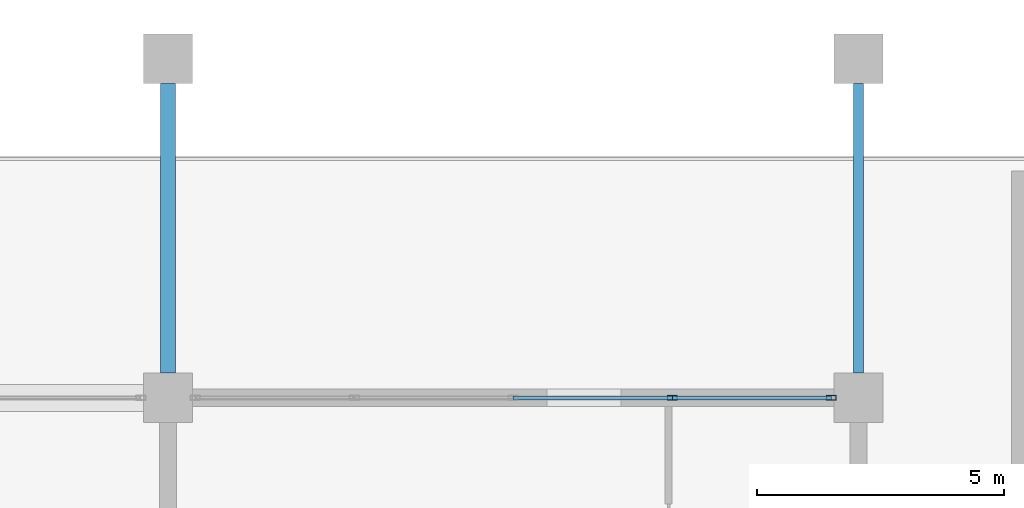
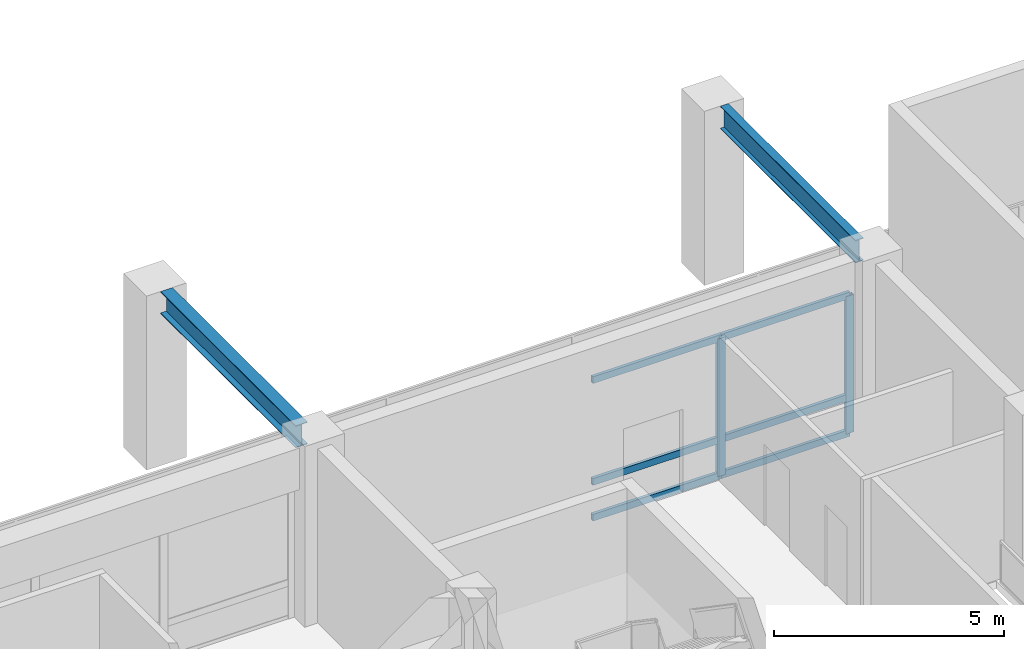
# One storey, part 26 of 91: 8 members, 2 beams, 1 element without a shape of its own.
"""IFC4 building model written with IfcOpenShell, lengths in metres."""

from ifc_helpers import new_model, si_unit, direction, frame, origin, origin_2d, place, context, subcontext, project, spatial, hollow_rectangle, i_section, extrude, material, material_profile, profile_set, type_object, element, aggregate, save


model = new_model("IFC4")

# Units and contexts
model_context = context("Model", 3, precision=1e-05, world=origin(), true_north=direction((0.0, 1.0)))
body_context = subcontext(model_context, "Body", "Model", "MODEL_VIEW")
ifc_project = project(units=[si_unit("LENGTHUNIT", "METRE"), si_unit("AREAUNIT", "SQUARE_METRE"), si_unit("VOLUMEUNIT", "CUBIC_METRE"), si_unit("PLANEANGLEUNIT", "RADIAN"), si_unit("MASSUNIT", "GRAM", prefix="KILO")], contexts=[model_context])

# Site, building, storey
site_placement = place(None, origin())
site = spatial("IfcSite", under=ifc_project, at=site_placement, CompositionType="ELEMENT")
building_placement = place(site_placement, origin())
building = spatial("IfcBuilding", under=site, at=building_placement, Name="Linyun Crest Stadium", CompositionType="ELEMENT")
storey_placement = place(building_placement, frame((0.0, 0.0, 11.39990234375)))
storey = spatial("IfcBuildingStorey", under=building, at=storey_placement, Name="L03", CompositionType="ELEMENT", Elevation=11.39990234375)

# Beams
ifc_material_1 = material(Name="Steel Q355C", Category="steel")
ifc_material_profile_1 = material_profile(ifc_material_1, i_section(OverallWidth=0.300048828125, OverallDepth=0.587890625, WebThickness=0.011962890625, FlangeThickness=0.02001953125, at=origin_2d()), Name="HM 588x300")
ifc_profile_set_1 = profile_set([ifc_material_profile_1], Name="Steel Q355C")
beam_type_1 = type_object("IfcBeamType", Name="B09", PredefinedType="BEAM", material=ifc_profile_set_1)
beam_1_placement = place(storey_placement, frame((14.0, -73.0, 4.326171875), z_axis=(0.0, 1.0, 0.0), x_axis=(-1.0, 0.0, 0.0)))
element("IfcBeam", 1, at=beam_1_placement, inside=storey, type_object=beam_type_1, Name="Frame beam B09 L03 938", PredefinedType="BEAM", context=body_context, shape_type="SweptSolid", body=[
    extrude(i_section(OverallWidth=0.300048828125, OverallDepth=0.587890625, WebThickness=0.011962890625, FlangeThickness=0.02001953125, at=origin_2d()), origin(), (0.0, 0.0, 1.0), 5.875),
])
ifc_material_2 = material(Name="Steel Q355C", Category="steel")
ifc_material_profile_2 = material_profile(ifc_material_2, i_section(OverallWidth=0.199951171875, OverallDepth=0.60009765625, WebThickness=0.010986328125, FlangeThickness=0.01708984375, at=origin_2d()), Name="HN 600x200")
ifc_profile_set_2 = profile_set([ifc_material_profile_2], Name="Steel Q355C")
beam_type_2 = type_object("IfcBeamType", Name="B11", PredefinedType="BEAM", material=ifc_profile_set_2)
beam_2_placement = place(storey_placement, frame((28.0, -73.0, 4.320068359375), z_axis=(0.0, 1.0, 0.0), x_axis=(-1.0, 0.0, 0.0)))
element("IfcBeam", 2, at=beam_2_placement, inside=storey, type_object=beam_type_2, Name="Frame beam B11 L03 939", PredefinedType="BEAM", context=body_context, shape_type="SweptSolid", body=[
    extrude(i_section(OverallWidth=0.199951171875, OverallDepth=0.60009765625, WebThickness=0.010986328125, FlangeThickness=0.01708984375, at=origin_2d()), origin(), (0.0, 0.0, 1.0), 5.875),
])

# Curtain wall, members
ifc_material_3 = material(Name="Verdigris steel and low-E curtain wall assembly", Category="steel")
curtain_wall_type = type_object("IfcCurtainWallType", Name="MCW02", PredefinedType="NOTDEFINED", material=ifc_material_3)
curtain_wall_placement = place(storey_placement, origin())
curtain_wall = element("IfcCurtainWall", 3, at=curtain_wall_placement, inside=storey, type_object=curtain_wall_type, Name="CWR-153", PredefinedType="NOTDEFINED")
ifc_material_4 = material(Name="Verdigris painted steel Q355C mullion", Category="steel")
ifc_material_profile_3 = material_profile(ifc_material_4, hollow_rectangle(XDim=0.10009765625, YDim=0.199951171875, WallThickness=0.008056640625, at=origin_2d()), Name="RHS 200x100x8")
ifc_profile_set_3 = profile_set([ifc_material_profile_3], Name="Verdigris painted steel Q355C mullion")
member_type_1 = type_object("IfcMemberType", Name="ML03", PredefinedType="MULLION", material=ifc_profile_set_3)
member_1_placement = place(storey_placement, frame((24.22509765625, -73.5, 0.0), z_axis=(0.0, 0.0, 1.0), x_axis=(0.0, 1.0, 0.0)))
member_1 = element("IfcMember", 4, at=member_1_placement, type_object=member_type_1, Name="CWR-153 mullion 4", PredefinedType="MULLION", context=body_context, shape_type="SweptSolid", body=[
    extrude(hollow_rectangle(XDim=0.10009765625, YDim=0.199951171875, WallThickness=0.008056640625, at=origin_2d()), origin(), (0.0, 0.0, 1.0), 3.650146484375),
])
member_2_placement = place(storey_placement, frame((27.449951171875, -73.5, 0.0), z_axis=(0.0, 0.0, 1.0), x_axis=(0.0, 1.0, 0.0)))
member_2 = element("IfcMember", 5, at=member_2_placement, type_object=member_type_1, Name="CWR-153 mullion 5", PredefinedType="MULLION", context=body_context, shape_type="SweptSolid", body=[
    extrude(hollow_rectangle(XDim=0.10009765625, YDim=0.199951171875, WallThickness=0.008056640625, at=origin_2d()), origin(), (0.0, 0.0, 1.0), 3.650146484375),
])
ifc_material_5 = material(Name="Verdigris painted steel Q355B transom", Category="steel")
ifc_material_profile_4 = material_profile(ifc_material_5, hollow_rectangle(XDim=0.080078125, YDim=0.179931640625, WallThickness=0.006103515625, at=origin_2d()), Name="RHS 180x80x6")
ifc_profile_set_4 = profile_set([ifc_material_profile_4], Name="Verdigris painted steel Q355B transom")
member_type_2 = type_object("IfcMemberType", Name="TR02", PredefinedType="USERDEFINED", material=ifc_profile_set_4)
member_3_placement = place(storey_placement, frame((21.0, -73.5, 0.0), z_axis=(1.0, 0.0, 0.0), x_axis=(0.0, 1.0, 0.0)))
member_3 = element("IfcMember", 6, at=member_3_placement, type_object=member_type_2, Name="CWR-153 transom 3.1", ObjectType="TRANSOM", PredefinedType="USERDEFINED", context=body_context, shape_type="SweptSolid", body=[
    extrude(hollow_rectangle(XDim=0.080078125, YDim=0.179931640625, WallThickness=0.006103515625, at=origin_2d()), origin(), (0.0, 0.0, 1.0), 3.22509765625),
])
member_4_placement = place(storey_placement, frame((21.0, -73.5, 0.9501953125), z_axis=(1.0, 0.0, 0.0), x_axis=(0.0, 1.0, 0.0)))
member_4 = element("IfcMember", 7, at=member_4_placement, type_object=member_type_2, Name="CWR-153 transom 3.2", ObjectType="TRANSOM", PredefinedType="USERDEFINED", context=body_context, shape_type="SweptSolid", body=[
    extrude(hollow_rectangle(XDim=0.080078125, YDim=0.179931640625, WallThickness=0.006103515625, at=origin_2d()), origin(), (0.0, 0.0, 1.0), 3.22509765625),
])
member_5_placement = place(storey_placement, frame((21.0, -73.5, 3.650146484375), z_axis=(1.0, 0.0, 0.0), x_axis=(0.0, 1.0, 0.0)))
member_5 = element("IfcMember", 8, at=member_5_placement, type_object=member_type_2, Name="CWR-153 transom 3.3", ObjectType="TRANSOM", PredefinedType="USERDEFINED", context=body_context, shape_type="SweptSolid", body=[
    extrude(hollow_rectangle(XDim=0.080078125, YDim=0.179931640625, WallThickness=0.006103515625, at=origin_2d()), origin(), (0.0, 0.0, 1.0), 3.22509765625),
])
member_6_placement = place(storey_placement, frame((24.22509765625, -73.5, 0.0), z_axis=(1.0, 0.0, 0.0), x_axis=(0.0, 1.0, 0.0)))
member_6 = element("IfcMember", 9, at=member_6_placement, type_object=member_type_2, Name="CWR-153 transom 4.1", ObjectType="TRANSOM", PredefinedType="USERDEFINED", context=body_context, shape_type="SweptSolid", body=[
    extrude(hollow_rectangle(XDim=0.080078125, YDim=0.179931640625, WallThickness=0.006103515625, at=origin_2d()), origin(), (0.0, 0.0, 1.0), 3.224853515625),
])
member_7_placement = place(storey_placement, frame((24.22509765625, -73.5, 0.9501953125), z_axis=(1.0, 0.0, 0.0), x_axis=(0.0, 1.0, 0.0)))
member_7 = element("IfcMember", 10, at=member_7_placement, type_object=member_type_2, Name="CWR-153 transom 4.2", ObjectType="TRANSOM", PredefinedType="USERDEFINED", context=body_context, shape_type="SweptSolid", body=[
    extrude(hollow_rectangle(XDim=0.080078125, YDim=0.179931640625, WallThickness=0.006103515625, at=origin_2d()), origin(), (0.0, 0.0, 1.0), 3.224853515625),
])
member_8_placement = place(storey_placement, frame((24.22509765625, -73.5, 3.650146484375), z_axis=(1.0, 0.0, 0.0), x_axis=(0.0, 1.0, 0.0)))
member_8 = element("IfcMember", 11, at=member_8_placement, type_object=member_type_2, Name="CWR-153 transom 4.3", ObjectType="TRANSOM", PredefinedType="USERDEFINED", context=body_context, shape_type="SweptSolid", body=[
    extrude(hollow_rectangle(XDim=0.080078125, YDim=0.179931640625, WallThickness=0.006103515625, at=origin_2d()), origin(), (0.0, 0.0, 1.0), 3.224853515625),
])
aggregate(curtain_wall, [member_1, member_2, member_3, member_4, member_5, member_6, member_7, member_8])

save(model, "model.ifc")
